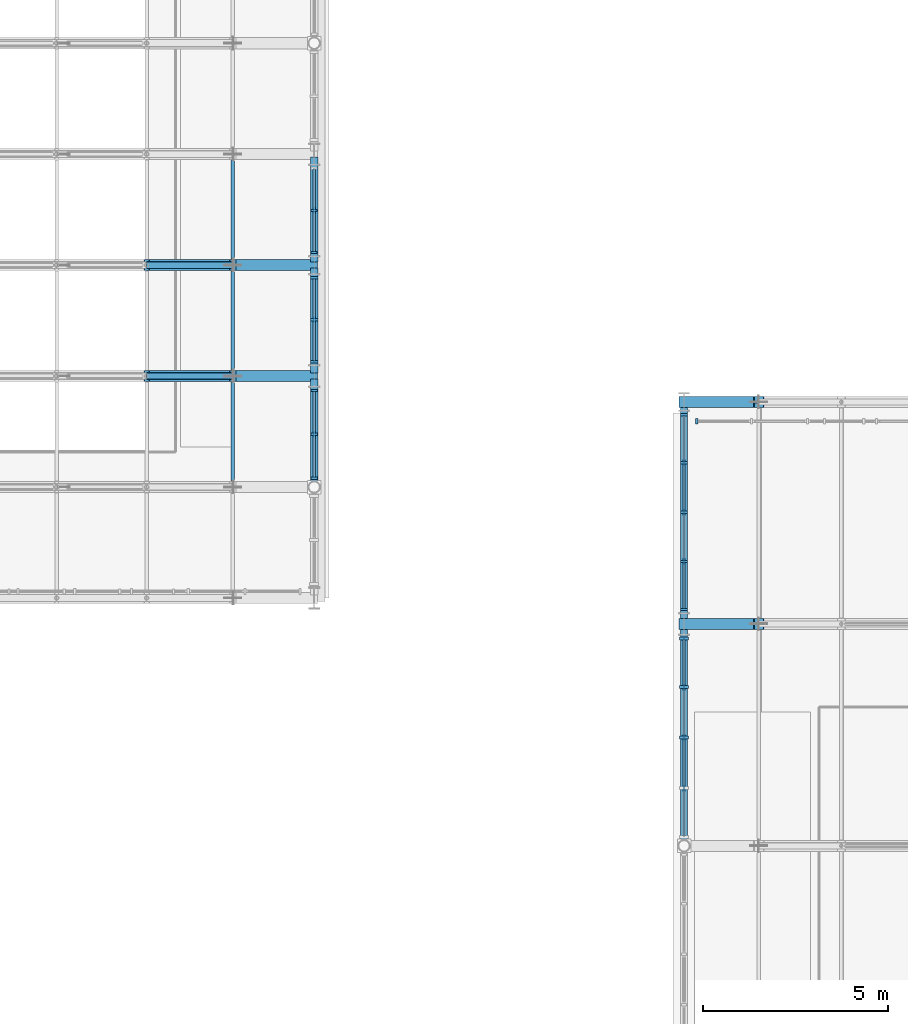
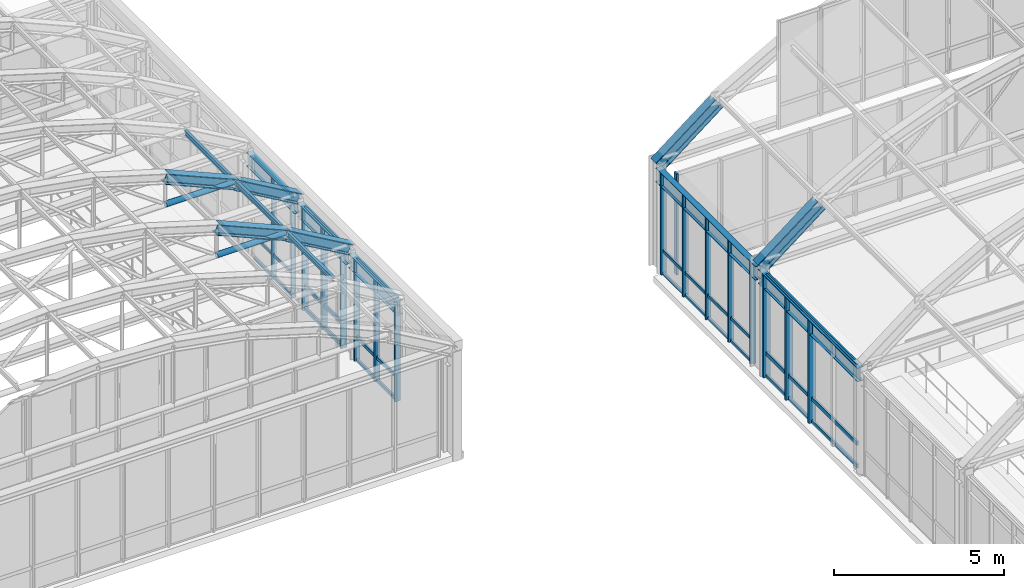
# One storey, part 63 of 148: 34 members, 14 beams, 6 elements without a shape of their own.
"""IFC4 building model written with IfcOpenShell, lengths in metres."""

from ifc_helpers import new_model, si_unit, direction, frame, origin, origin_2d, place, context, subcontext, project, spatial, rectangle, hollow_circle, i_section, extrude, material, layer, layer_set, material_profile, profile_set, type_object, element, aggregate, save


model = new_model("IFC4")

# Units and contexts
model_context = context("Model", 3, precision=1e-05, world=origin(), true_north=direction((0.0, 1.0)))
body_context = subcontext(model_context, "Body", "Model", "MODEL_VIEW")
ifc_project = project(units=[si_unit("LENGTHUNIT", "METRE"), si_unit("AREAUNIT", "SQUARE_METRE"), si_unit("VOLUMEUNIT", "CUBIC_METRE"), si_unit("PLANEANGLEUNIT", "RADIAN"), si_unit("MASSUNIT", "GRAM", prefix="KILO"), si_unit("THERMODYNAMICTEMPERATUREUNIT", "KELVIN"), si_unit("POWERUNIT", "WATT")], contexts=[model_context])

# Site, building, storey
site_placement = place(None, origin())
site = spatial("IfcSite", under=ifc_project, at=site_placement, CompositionType="ELEMENT")
building_placement = place(site_placement, origin())
building = spatial("IfcBuilding", under=site, at=building_placement, Name="Solvatero Civic Police Headquarters", CompositionType="ELEMENT")
storey_placement = place(building_placement, frame((0.0, 0.0, 5.10009765625)))
storey = spatial("IfcBuildingStorey", under=building, at=storey_placement, Name="L01", CompositionType="ELEMENT", Elevation=5.10009765625)

# Beams
ifc_material_1 = material(Name="Steel S355", Category="steel")
ifc_material_profile_1 = material_profile(ifc_material_1, i_section(OverallWidth=0.300048828125, OverallDepth=0.360107421875, WebThickness=0.012451171875, FlangeThickness=0.0224609375, FilletRadius=0.027099609375, at=origin_2d()), Name="HEB 360")
ifc_profile_set_1 = profile_set([ifc_material_profile_1], Name="Steel S355")
beam_type_1 = type_object("IfcBeamType", Name="BM-ST-HEB360", PredefinedType="BEAM", material=ifc_profile_set_1)
beam_1_placement = place(storey_placement, frame((84.27001953125, 47.5, 6.109619140625), z_axis=(0.917917593787, 0.0, -0.396771081377), x_axis=(0.0, 1.0, 0.0)))
element("IfcBeam", 1, at=beam_1_placement, inside=storey, type_object=beam_type_1, Name="VLT2 Tied-Arch Vault Top Chord F3.9", PredefinedType="BEAM", context=body_context, shape_type="SweptSolid", body=[
    extrude(i_section(OverallWidth=0.300048828125, OverallDepth=0.360107421875, WebThickness=0.012451171875, FlangeThickness=0.0224609375, FilletRadius=0.027099609375, at=origin_2d()), origin(), (0.0, 0.0, 1.0), 2.5400390625),
])
beam_2_placement = place(storey_placement, frame((86.6015625, 47.5, 5.079345703125), z_axis=(0.865485501766, 0.0, -0.500933973926), x_axis=(0.0, 1.0, 0.0)))
element("IfcBeam", 2, at=beam_2_placement, inside=storey, type_object=beam_type_1, Name="VLT2 Tied-Arch Vault Top Chord F3.10", PredefinedType="BEAM", context=body_context, shape_type="SweptSolid", body=[
    extrude(i_section(OverallWidth=0.300048828125, OverallDepth=0.360107421875, WebThickness=0.012451171875, FlangeThickness=0.0224609375, FilletRadius=0.027099609375, at=origin_2d()), origin(), (0.0, 0.0, 1.0), 2.540283203125),
])
beam_3_placement = place(storey_placement, frame((84.27001953125, 50.5, 6.109619140625), z_axis=(0.917917593787, 0.0, -0.396771081377), x_axis=(0.0, 1.0, 0.0)))
element("IfcBeam", 3, at=beam_3_placement, inside=storey, type_object=beam_type_1, Name="VLT2 Tied-Arch Vault Top Chord F4.9", PredefinedType="BEAM", context=body_context, shape_type="SweptSolid", body=[
    extrude(i_section(OverallWidth=0.300048828125, OverallDepth=0.360107421875, WebThickness=0.012451171875, FlangeThickness=0.0224609375, FilletRadius=0.027099609375, at=origin_2d()), origin(), (0.0, 0.0, 1.0), 2.5400390625),
])
beam_4_placement = place(storey_placement, frame((86.6015625, 50.5, 5.079345703125), z_axis=(0.865485501766, 0.0, -0.500933973926), x_axis=(0.0, 1.0, 0.0)))
element("IfcBeam", 4, at=beam_4_placement, inside=storey, type_object=beam_type_1, Name="VLT2 Tied-Arch Vault Top Chord F4.10", PredefinedType="BEAM", context=body_context, shape_type="SweptSolid", body=[
    extrude(i_section(OverallWidth=0.300048828125, OverallDepth=0.360107421875, WebThickness=0.012451171875, FlangeThickness=0.0224609375, FilletRadius=0.027099609375, at=origin_2d()), origin(), (0.0, 0.0, 1.0), 2.540283203125),
])
ifc_material_profile_2 = material_profile(ifc_material_1, i_section(OverallWidth=0.300048828125, OverallDepth=0.449951171875, WebThickness=0.013916015625, FlangeThickness=0.02587890625, FilletRadius=0.027099609375, at=origin_2d()), Name="HEB 450")
ifc_profile_set_2 = profile_set([ifc_material_profile_2], Name="Steel S355")
beam_type_2 = type_object("IfcBeamType", Name="BM-ST-HEB450", PredefinedType="BEAM", material=ifc_profile_set_2)
for number, where, z_axis, x_axis, name in (
    (5, (98.800048828125, 40.800048828125, 3.712158203125), (0.789403525995, 0.0, 0.613874639602), (0.0, 1.0, 0.0), "VLT1 Tied-Arch Vault Top Chord F7.1"),
    (6, (98.800048828125, 46.800048828125, 3.712158203125), (0.789403525995, 0.0, 0.613874639602), (0.0, 1.0, 0.0), "VLT1 Tied-Arch Vault Top Chord F8.1"),
):
    element("IfcBeam", number, at=place(storey_placement, frame(where, z_axis=z_axis, x_axis=x_axis)), inside=storey, type_object=beam_type_2, Name=name, PredefinedType="BEAM", context=body_context, shape_type="SweptSolid", body=[
        extrude(i_section(OverallWidth=0.300048828125, OverallDepth=0.449951171875, WebThickness=0.013916015625, FlangeThickness=0.02587890625, FilletRadius=0.027099609375, at=origin_2d()), origin(), (0.0, 0.0, 1.0), 2.56201171875),
    ])
ifc_material_profile_3 = material_profile(ifc_material_1, i_section(OverallWidth=0.091064453125, OverallDepth=0.179931640625, WebThickness=0.00537109375, FlangeThickness=0.008056640625, FilletRadius=0.009033203125, at=origin_2d()), Name="IPE 180")
ifc_profile_set_3 = profile_set([ifc_material_profile_3], Name="Steel S355")
beam_type_3 = type_object("IfcBeamType", Name="BM-ST-IPE180", PredefinedType="JOIST", material=ifc_profile_set_3)
for number, where, z_axis, x_axis, name in (
    (7, (86.6015625, 44.657958984375, 5.172119140625), (0.0, 1.0, 0.0), (-1.0, 0.0, 0.0), "VLT2 Vault Roof Purlin B2.9"),
    (8, (86.6015625, 47.657958984375, 5.172119140625), (0.0, 1.0, 0.0), (-1.0, 0.0, 0.0), "VLT2 Vault Roof Purlin B3.9"),
    (9, (86.6015625, 50.657958984375, 5.172119140625), (0.0, 1.0, 0.0), (-1.0, 0.0, 0.0), "VLT2 Vault Roof Purlin B4.9"),
):
    element("IfcBeam", number, at=place(storey_placement, frame(where, z_axis=z_axis, x_axis=x_axis)), inside=storey, type_object=beam_type_3, Name=name, PredefinedType="JOIST", context=body_context, shape_type="SweptSolid", body=[
        extrude(i_section(OverallWidth=0.091064453125, OverallDepth=0.179931640625, WebThickness=0.00537109375, FlangeThickness=0.008056640625, FilletRadius=0.009033203125, at=origin_2d()), origin(), (0.0, 0.0, 1.0), 2.68408203125),
    ])
ifc_material_profile_4 = material_profile(ifc_material_1, i_section(OverallWidth=0.199951171875, OverallDepth=0.5, WebThickness=0.01025390625, FlangeThickness=0.01611328125, FilletRadius=0.02099609375, at=origin_2d()), Name="IPE 500")
ifc_profile_set_4 = profile_set([ifc_material_profile_4], Name="Steel S355")
beam_type_4 = type_object("IfcBeamType", Name="BM-ST-IPE500", PredefinedType="BEAM", material=ifc_profile_set_4)
for number, where, z_axis, x_axis, name in (
    (10, (98.800048828125, 34.8798828125, 3.429931640625), (0.0, 1.0, 0.0), (-1.0, 0.0, 0.0), "Primary girder BM-R2-VLT1-SPR-W-B6"),
    (11, (98.800048828125, 40.8798828125, 3.429931640625), (0.0, 1.0, 0.0), (-1.0, 0.0, 0.0), "Primary girder BM-R2-VLT1-SPR-W-B7"),
):
    element("IfcBeam", number, at=place(storey_placement, frame(where, z_axis=z_axis, x_axis=x_axis)), inside=storey, type_object=beam_type_4, Name=name, PredefinedType="BEAM", context=body_context, shape_type="SweptSolid", body=[
        extrude(i_section(OverallWidth=0.199951171875, OverallDepth=0.5, WebThickness=0.01025390625, FlangeThickness=0.01611328125, FilletRadius=0.02099609375, at=origin_2d()), origin(), (0.0, 0.0, 1.0), 5.840087890625),
    ])
for number, where, z_axis, x_axis, name in (
    (12, (88.800048828125, 44.580078125, 3.429931640625), (0.0, 1.0, 0.0), (-1.0, 0.0, 0.0), "Primary girder BM-R2-VLT2-SPR-E-B2"),
    (13, (88.800048828125, 47.580078125, 3.429931640625), (0.0, 1.0, 0.0), (-1.0, 0.0, 0.0), "Primary girder BM-R2-VLT2-SPR-E-B3"),
    (14, (88.800048828125, 50.580078125, 3.429931640625), (0.0, 1.0, 0.0), (-1.0, 0.0, 0.0), "Primary girder BM-R2-VLT2-SPR-E-B4"),
):
    element("IfcBeam", number, at=place(storey_placement, frame(where, z_axis=z_axis, x_axis=x_axis)), inside=storey, type_object=beam_type_4, Name=name, PredefinedType="BEAM", context=body_context, shape_type="SweptSolid", body=[
        extrude(i_section(OverallWidth=0.199951171875, OverallDepth=0.5, WebThickness=0.01025390625, FlangeThickness=0.01611328125, FilletRadius=0.02099609375, at=origin_2d()), origin(), (0.0, 0.0, 1.0), 2.83984375),
    ])

# Curtain wall, members
ifc_material_2 = material(Name="Anodized Bronze Aluminium", Category="aluminium")
ifc_layer = layer(ifc_material_2, 0.179931640625)
ifc_layer_set = layer_set([ifc_layer], Name="Anodized Bronze Aluminium")
curtain_wall_type = type_object("IfcCurtainWallType", Name="CW-HAL-GLZ", PredefinedType="USERDEFINED", material=ifc_layer_set)
curtain_wall_1_placement = place(storey_placement, origin())
curtain_wall_1 = element("IfcCurtainWall", 15, at=curtain_wall_1_placement, inside=storey, type_object=curtain_wall_type, Name="Curtain Wall CW-R2-L01-V1-W-B6", ObjectType="UNITISED", PredefinedType="USERDEFINED")
ifc_material_profile_5 = material_profile(ifc_material_2, rectangle(XDim=0.080078125, YDim=0.239990234375, at=origin_2d()), Name="ALU MULLION 80x240")
ifc_profile_set_5 = profile_set([ifc_material_profile_5], Name="Anodized Bronze Aluminium")
member_type_1 = type_object("IfcMemberType", Name="CWM-140x60", PredefinedType="MULLION", material=ifc_profile_set_5)
member_1_placement = place(storey_placement, frame((98.800048828125, 37.72607421875, 0.0), z_axis=(0.0, 0.0, 1.0), x_axis=(0.0, 1.0, 0.0)))
member_1 = element("IfcMember", 16, at=member_1_placement, type_object=member_type_1, Name="CW-R2-L01-V1-W-B6 Mullion 3", PredefinedType="MULLION", context=body_context, shape_type="SweptSolid", body=[
    extrude(rectangle(XDim=0.080078125, YDim=0.239990234375, at=origin_2d()), origin(), (0.0, 0.0, 1.0), 3.659912109375),
])
member_2_placement = place(storey_placement, frame((98.800048828125, 39.087890625, 0.0), z_axis=(0.0, 0.0, 1.0), x_axis=(0.0, 1.0, 0.0)))
member_2 = element("IfcMember", 17, at=member_2_placement, type_object=member_type_1, Name="CW-R2-L01-V1-W-B6 Mullion 4", PredefinedType="MULLION", context=body_context, shape_type="SweptSolid", body=[
    extrude(rectangle(XDim=0.080078125, YDim=0.239990234375, at=origin_2d()), origin(), (0.0, 0.0, 1.0), 3.659912109375),
])
member_3_placement = place(storey_placement, frame((98.800048828125, 40.409912109375, 0.0), z_axis=(0.0, 0.0, 1.0), x_axis=(0.0, 1.0, 0.0)))
member_3 = element("IfcMember", 18, at=member_3_placement, type_object=member_type_1, Name="CW-R2-L01-V1-W-B6 Mullion 5", PredefinedType="MULLION", context=body_context, shape_type="SweptSolid", body=[
    extrude(rectangle(XDim=0.080078125, YDim=0.239990234375, at=origin_2d()), origin(), (0.0, 0.0, 1.0), 3.659912109375),
])

curtain_wall_2_placement = place(storey_placement, origin())
curtain_wall_2 = element("IfcCurtainWall", 19, at=curtain_wall_2_placement, inside=storey, type_object=curtain_wall_type, Name="Curtain Wall CW-R2-L01-V2-E-B4", ObjectType="UNITISED", PredefinedType="USERDEFINED")
ifc_material_profile_6 = material_profile(ifc_material_2, rectangle(XDim=0.06005859375, YDim=0.159912109375, at=origin_2d()), Name="ALU MULLION 60x160")
ifc_profile_set_6 = profile_set([ifc_material_profile_6], Name="Anodized Bronze Aluminium")
member_type_2 = type_object("IfcMemberType", Name="CWM-180x70", PredefinedType="MULLION", material=ifc_profile_set_6)
member_4_placement = place(storey_placement, frame((88.800048828125, 50.842041015625, 0.0), z_axis=(0.0, 0.0, 1.0), x_axis=(0.0, 1.0, 0.0)))
member_4 = element("IfcMember", 20, at=member_4_placement, type_object=member_type_2, Name="CW-R2-L01-V2-E-B4 Mullion 1", PredefinedType="MULLION", context=body_context, shape_type="SweptSolid", body=[
    extrude(rectangle(XDim=0.06005859375, YDim=0.159912109375, at=origin_2d()), origin(), (0.0, 0.0, 1.0), 3.659912109375),
])
member_5_placement = place(storey_placement, frame((88.800048828125, 51.98095703125, 0.0), z_axis=(0.0, 0.0, 1.0), x_axis=(0.0, 1.0, 0.0)))
member_5 = element("IfcMember", 21, at=member_5_placement, type_object=member_type_2, Name="CW-R2-L01-V2-E-B4 Mullion 2", PredefinedType="MULLION", context=body_context, shape_type="SweptSolid", body=[
    extrude(rectangle(XDim=0.06005859375, YDim=0.159912109375, at=origin_2d()), origin(), (0.0, 0.0, 1.0), 3.659912109375),
])

# Curtain wall, member
curtain_wall_3_placement = place(storey_placement, origin())
curtain_wall_3 = element("IfcCurtainWall", 22, at=curtain_wall_3_placement, inside=storey, type_object=curtain_wall_type, Name="Curtain Wall CW-R2-L01-V1-N", ObjectType="UNITISED", PredefinedType="USERDEFINED")
member_6_placement = place(storey_placement, frame((99.14208984375, 46.280029296875, 0.0), z_axis=(0.0, 0.0, 1.0), x_axis=(1.0, 0.0, 0.0)))
member_6 = element("IfcMember", 23, at=member_6_placement, type_object=member_type_2, Name="CW-R2-L01-V1-N Mullion 1", PredefinedType="MULLION", context=body_context, shape_type="SweptSolid", body=[
    extrude(rectangle(XDim=0.06005859375, YDim=0.159912109375, at=origin_2d()), origin(), (0.0, 0.0, 1.0), 3.619873046875),
])
aggregate(curtain_wall_3, [member_6])

# Curtain wall, members
curtain_wall_4_placement = place(storey_placement, origin())
curtain_wall_4 = element("IfcCurtainWall", 24, at=curtain_wall_4_placement, inside=storey, type_object=curtain_wall_type, Name="Curtain Wall CW-R2-L01-V2-E-B2", ObjectType="UNITISED", PredefinedType="USERDEFINED")
ifc_material_profile_7 = material_profile(ifc_material_2, rectangle(XDim=0.06494140625, YDim=0.179931640625, at=origin_2d()), Name="ALU MULLION 65x180")
ifc_profile_set_7 = profile_set([ifc_material_profile_7], Name="Anodized Bronze Aluminium")
member_type_3 = type_object("IfcMemberType", Name="CWM-200x75", PredefinedType="MULLION", material=ifc_profile_set_7)
member_7_placement = place(storey_placement, frame((88.800048828125, 44.741943359375, 0.0), z_axis=(0.0, 0.0, 1.0), x_axis=(0.0, 1.0, 0.0)))
member_7 = element("IfcMember", 25, at=member_7_placement, type_object=member_type_3, Name="CW-R2-L01-V2-E-B2 Mullion 1", PredefinedType="MULLION", context=body_context, shape_type="SweptSolid", body=[
    extrude(rectangle(XDim=0.06494140625, YDim=0.179931640625, at=origin_2d()), origin(), (0.0, 0.0, 1.0), 3.659912109375),
])
member_8_placement = place(storey_placement, frame((88.800048828125, 45.926025390625, 0.0), z_axis=(0.0, 0.0, 1.0), x_axis=(0.0, 1.0, 0.0)))
member_8 = element("IfcMember", 26, at=member_8_placement, type_object=member_type_3, Name="CW-R2-L01-V2-E-B2 Mullion 2", PredefinedType="MULLION", context=body_context, shape_type="SweptSolid", body=[
    extrude(rectangle(XDim=0.06494140625, YDim=0.179931640625, at=origin_2d()), origin(), (0.0, 0.0, 1.0), 3.659912109375),
])
member_9_placement = place(storey_placement, frame((88.800048828125, 47.110107421875, 0.0), z_axis=(0.0, 0.0, 1.0), x_axis=(0.0, 1.0, 0.0)))
member_9 = element("IfcMember", 27, at=member_9_placement, type_object=member_type_3, Name="CW-R2-L01-V2-E-B2 Mullion 3", PredefinedType="MULLION", context=body_context, shape_type="SweptSolid", body=[
    extrude(rectangle(XDim=0.06494140625, YDim=0.179931640625, at=origin_2d()), origin(), (0.0, 0.0, 1.0), 3.659912109375),
])

curtain_wall_5_placement = place(storey_placement, origin())
curtain_wall_5 = element("IfcCurtainWall", 28, at=curtain_wall_5_placement, inside=storey, type_object=curtain_wall_type, Name="Curtain Wall CW-R2-L01-V1-W-B7", ObjectType="UNITISED", PredefinedType="USERDEFINED")
member_10_placement = place(storey_placement, frame((98.800048828125, 41.18994140625, 0.0), z_axis=(0.0, 0.0, 1.0), x_axis=(0.0, 1.0, 0.0)))
member_10 = element("IfcMember", 29, at=member_10_placement, type_object=member_type_3, Name="CW-R2-L01-V1-W-B7 Mullion 1", PredefinedType="MULLION", context=body_context, shape_type="SweptSolid", body=[
    extrude(rectangle(XDim=0.06494140625, YDim=0.179931640625, at=origin_2d()), origin(), (0.0, 0.0, 1.0), 3.659912109375),
])
member_11_placement = place(storey_placement, frame((98.800048828125, 42.487060546875, 0.0), z_axis=(0.0, 0.0, 1.0), x_axis=(0.0, 1.0, 0.0)))
member_11 = element("IfcMember", 30, at=member_11_placement, type_object=member_type_3, Name="CW-R2-L01-V1-W-B7 Mullion 2", PredefinedType="MULLION", context=body_context, shape_type="SweptSolid", body=[
    extrude(rectangle(XDim=0.06494140625, YDim=0.179931640625, at=origin_2d()), origin(), (0.0, 0.0, 1.0), 3.659912109375),
])
member_12_placement = place(storey_placement, frame((98.800048828125, 43.823974609375, 0.0), z_axis=(0.0, 0.0, 1.0), x_axis=(0.0, 1.0, 0.0)))
member_12 = element("IfcMember", 31, at=member_12_placement, type_object=member_type_3, Name="CW-R2-L01-V1-W-B7 Mullion 3", PredefinedType="MULLION", context=body_context, shape_type="SweptSolid", body=[
    extrude(rectangle(XDim=0.06494140625, YDim=0.179931640625, at=origin_2d()), origin(), (0.0, 0.0, 1.0), 3.659912109375),
])
member_13_placement = place(storey_placement, frame((98.800048828125, 45.160888671875, 0.0), z_axis=(0.0, 0.0, 1.0), x_axis=(0.0, 1.0, 0.0)))
member_13 = element("IfcMember", 32, at=member_13_placement, type_object=member_type_3, Name="CW-R2-L01-V1-W-B7 Mullion 4", PredefinedType="MULLION", context=body_context, shape_type="SweptSolid", body=[
    extrude(rectangle(XDim=0.06494140625, YDim=0.179931640625, at=origin_2d()), origin(), (0.0, 0.0, 1.0), 3.659912109375),
])
member_14_placement = place(storey_placement, frame((98.800048828125, 46.4580078125, 0.0), z_axis=(0.0, 0.0, 1.0), x_axis=(0.0, 1.0, 0.0)))
member_14 = element("IfcMember", 33, at=member_14_placement, type_object=member_type_3, Name="CW-R2-L01-V1-W-B7 Mullion 5", PredefinedType="MULLION", context=body_context, shape_type="SweptSolid", body=[
    extrude(rectangle(XDim=0.06494140625, YDim=0.179931640625, at=origin_2d()), origin(), (0.0, 0.0, 1.0), 3.659912109375),
])

curtain_wall_6_placement = place(storey_placement, origin())
curtain_wall_6 = element("IfcCurtainWall", 34, at=curtain_wall_6_placement, inside=storey, type_object=curtain_wall_type, Name="Curtain Wall CW-R2-L01-V2-E-B3", ObjectType="UNITISED", PredefinedType="USERDEFINED")
ifc_material_profile_8 = material_profile(ifc_material_2, rectangle(XDim=0.070068359375, YDim=0.199951171875, at=origin_2d()), Name="ALU MULLION 70x200")
ifc_profile_set_8 = profile_set([ifc_material_profile_8], Name="Anodized Bronze Aluminium")
member_type_4 = type_object("IfcMemberType", Name="CWM-220x80", PredefinedType="MULLION", material=ifc_profile_set_8)
member_15_placement = place(storey_placement, frame((88.800048828125, 47.889892578125, 0.0), z_axis=(0.0, 0.0, 1.0), x_axis=(0.0, 1.0, 0.0)))
member_15 = element("IfcMember", 35, at=member_15_placement, type_object=member_type_4, Name="CW-R2-L01-V2-E-B3 Mullion 1", PredefinedType="MULLION", context=body_context, shape_type="SweptSolid", body=[
    extrude(rectangle(XDim=0.070068359375, YDim=0.199951171875, at=origin_2d()), origin(), (0.0, 0.0, 1.0), 3.659912109375),
])
member_16_placement = place(storey_placement, frame((88.800048828125, 49.02392578125, 0.0), z_axis=(0.0, 0.0, 1.0), x_axis=(0.0, 1.0, 0.0)))
member_16 = element("IfcMember", 36, at=member_16_placement, type_object=member_type_4, Name="CW-R2-L01-V2-E-B3 Mullion 2", PredefinedType="MULLION", context=body_context, shape_type="SweptSolid", body=[
    extrude(rectangle(XDim=0.070068359375, YDim=0.199951171875, at=origin_2d()), origin(), (0.0, 0.0, 1.0), 3.659912109375),
])
member_17_placement = place(storey_placement, frame((88.800048828125, 50.157958984375, 0.0), z_axis=(0.0, 0.0, 1.0), x_axis=(0.0, 1.0, 0.0)))
member_17 = element("IfcMember", 37, at=member_17_placement, type_object=member_type_4, Name="CW-R2-L01-V2-E-B3 Mullion 3", PredefinedType="MULLION", context=body_context, shape_type="SweptSolid", body=[
    extrude(rectangle(XDim=0.070068359375, YDim=0.199951171875, at=origin_2d()), origin(), (0.0, 0.0, 1.0), 3.659912109375),
])

# Member
ifc_material_profile_9 = material_profile(ifc_material_2, rectangle(XDim=0.06005859375, YDim=0.110107421875, at=origin_2d()), Name="ALU TRANSOM 60x110")
ifc_profile_set_9 = profile_set([ifc_material_profile_9], Name="Anodized Bronze Aluminium")
member_type_5 = type_object("IfcMemberType", Name="CWT-140x60", PredefinedType="USERDEFINED", material=ifc_profile_set_9)
member_18_placement = place(storey_placement, frame((88.800048828125, 50.85205078125, 0.039794921875), z_axis=(0.0, 1.0, 0.0), x_axis=(-1.0, 0.0, 0.0)))
member_18 = element("IfcMember", 38, at=member_18_placement, type_object=member_type_5, Name="CW-R2-L01-V2-E-B4 Transom 1", ObjectType="TRANSOM", PredefinedType="USERDEFINED", context=body_context, shape_type="SweptSolid", body=[
    extrude(rectangle(XDim=0.06005859375, YDim=0.110107421875, at=origin_2d()), origin(), (0.0, 0.0, 1.0), 2.258056640625),
])

member_19_placement = place(storey_placement, frame((88.800048828125, 50.85205078125, 0.849853515625), z_axis=(0.0, 1.0, 0.0), x_axis=(-1.0, 0.0, 0.0)))
member_19 = element("IfcMember", 39, at=member_19_placement, type_object=member_type_5, Name="CW-R2-L01-V2-E-B4 Transom 2", ObjectType="TRANSOM", PredefinedType="USERDEFINED", context=body_context, shape_type="SweptSolid", body=[
    extrude(rectangle(XDim=0.06005859375, YDim=0.110107421875, at=origin_2d()), origin(), (0.0, 0.0, 1.0), 2.258056640625),
])

member_20_placement = place(storey_placement, frame((88.800048828125, 50.85205078125, 3.619873046875), z_axis=(0.0, 1.0, 0.0), x_axis=(-1.0, 0.0, 0.0)))
member_20 = element("IfcMember", 40, at=member_20_placement, type_object=member_type_5, Name="CW-R2-L01-V2-E-B4 Transom 3", ObjectType="TRANSOM", PredefinedType="USERDEFINED", context=body_context, shape_type="SweptSolid", body=[
    extrude(rectangle(XDim=0.06005859375, YDim=0.110107421875, at=origin_2d()), origin(), (0.0, 0.0, 1.0), 2.258056640625),
])

aggregate(curtain_wall_2, [member_4, member_5, member_18, member_19, member_20])

member_21_placement = place(storey_placement, frame((98.800048828125, 41.199951171875, 0.039794921875), z_axis=(0.0, 1.0, 0.0), x_axis=(-1.0, 0.0, 0.0)))
member_21 = element("IfcMember", 41, at=member_21_placement, type_object=member_type_5, Name="CW-R2-L01-V1-W-B7 Transom 1", ObjectType="TRANSOM", PredefinedType="USERDEFINED", context=body_context, shape_type="SweptSolid", body=[
    extrude(rectangle(XDim=0.06005859375, YDim=0.110107421875, at=origin_2d()), origin(), (0.0, 0.0, 1.0), 5.248046875),
])

member_22_placement = place(storey_placement, frame((98.800048828125, 41.199951171875, 0.849853515625), z_axis=(0.0, 1.0, 0.0), x_axis=(-1.0, 0.0, 0.0)))
member_22 = element("IfcMember", 42, at=member_22_placement, type_object=member_type_5, Name="CW-R2-L01-V1-W-B7 Transom 2", ObjectType="TRANSOM", PredefinedType="USERDEFINED", context=body_context, shape_type="SweptSolid", body=[
    extrude(rectangle(XDim=0.06005859375, YDim=0.110107421875, at=origin_2d()), origin(), (0.0, 0.0, 1.0), 5.248046875),
])

member_23_placement = place(storey_placement, frame((98.800048828125, 41.199951171875, 3.619873046875), z_axis=(0.0, 1.0, 0.0), x_axis=(-1.0, 0.0, 0.0)))
member_23 = element("IfcMember", 43, at=member_23_placement, type_object=member_type_5, Name="CW-R2-L01-V1-W-B7 Transom 3", ObjectType="TRANSOM", PredefinedType="USERDEFINED", context=body_context, shape_type="SweptSolid", body=[
    extrude(rectangle(XDim=0.06005859375, YDim=0.110107421875, at=origin_2d()), origin(), (0.0, 0.0, 1.0), 5.248046875),
])

aggregate(curtain_wall_5, [member_10, member_11, member_12, member_13, member_14, member_21, member_22, member_23])

ifc_material_profile_10 = material_profile(ifc_material_2, rectangle(XDim=0.06005859375, YDim=0.125, at=origin_2d()), Name="ALU TRANSOM 60x125")
ifc_profile_set_10 = profile_set([ifc_material_profile_10], Name="Anodized Bronze Aluminium")
member_type_6 = type_object("IfcMemberType", Name="CWT-160x65", PredefinedType="USERDEFINED", material=ifc_profile_set_10)
member_24_placement = place(storey_placement, frame((88.800048828125, 44.751953125, 0.039794921875), z_axis=(0.0, 1.0, 0.0), x_axis=(-1.0, 0.0, 0.0)))
member_24 = element("IfcMember", 44, at=member_24_placement, type_object=member_type_6, Name="CW-R2-L01-V2-E-B2 Transom 1", ObjectType="TRANSOM", PredefinedType="USERDEFINED", context=body_context, shape_type="SweptSolid", body=[
    extrude(rectangle(XDim=0.06005859375, YDim=0.125, at=origin_2d()), origin(), (0.0, 0.0, 1.0), 2.34814453125),
])

member_25_placement = place(storey_placement, frame((88.800048828125, 44.751953125, 0.849853515625), z_axis=(0.0, 1.0, 0.0), x_axis=(-1.0, 0.0, 0.0)))
member_25 = element("IfcMember", 45, at=member_25_placement, type_object=member_type_6, Name="CW-R2-L01-V2-E-B2 Transom 2", ObjectType="TRANSOM", PredefinedType="USERDEFINED", context=body_context, shape_type="SweptSolid", body=[
    extrude(rectangle(XDim=0.06005859375, YDim=0.125, at=origin_2d()), origin(), (0.0, 0.0, 1.0), 2.34814453125),
])

member_26_placement = place(storey_placement, frame((88.800048828125, 44.751953125, 3.619873046875), z_axis=(0.0, 1.0, 0.0), x_axis=(-1.0, 0.0, 0.0)))
member_26 = element("IfcMember", 46, at=member_26_placement, type_object=member_type_6, Name="CW-R2-L01-V2-E-B2 Transom 3", ObjectType="TRANSOM", PredefinedType="USERDEFINED", context=body_context, shape_type="SweptSolid", body=[
    extrude(rectangle(XDim=0.06005859375, YDim=0.125, at=origin_2d()), origin(), (0.0, 0.0, 1.0), 2.34814453125),
])

aggregate(curtain_wall_4, [member_7, member_8, member_9, member_24, member_25, member_26])

ifc_material_profile_11 = material_profile(ifc_material_2, rectangle(XDim=0.06494140625, YDim=0.139892578125, at=origin_2d()), Name="ALU TRANSOM 65x140")
ifc_profile_set_11 = profile_set([ifc_material_profile_11], Name="Anodized Bronze Aluminium")
member_type_7 = type_object("IfcMemberType", Name="CWT-180x70", PredefinedType="USERDEFINED", material=ifc_profile_set_11)
member_27_placement = place(storey_placement, frame((88.800048828125, 47.89990234375, 0.039794921875), z_axis=(0.0, 1.0, 0.0), x_axis=(-1.0, 0.0, 0.0)))
member_27 = element("IfcMember", 47, at=member_27_placement, type_object=member_type_7, Name="CW-R2-L01-V2-E-B3 Transom 1", ObjectType="TRANSOM", PredefinedType="USERDEFINED", context=body_context, shape_type="SweptSolid", body=[
    extrude(rectangle(XDim=0.06494140625, YDim=0.139892578125, at=origin_2d()), origin(), (0.0, 0.0, 1.0), 2.248046875),
])

member_28_placement = place(storey_placement, frame((88.800048828125, 47.89990234375, 0.849853515625), z_axis=(0.0, 1.0, 0.0), x_axis=(-1.0, 0.0, 0.0)))
member_28 = element("IfcMember", 48, at=member_28_placement, type_object=member_type_7, Name="CW-R2-L01-V2-E-B3 Transom 2", ObjectType="TRANSOM", PredefinedType="USERDEFINED", context=body_context, shape_type="SweptSolid", body=[
    extrude(rectangle(XDim=0.06494140625, YDim=0.139892578125, at=origin_2d()), origin(), (0.0, 0.0, 1.0), 2.248046875),
])

member_29_placement = place(storey_placement, frame((88.800048828125, 47.89990234375, 3.619873046875), z_axis=(0.0, 1.0, 0.0), x_axis=(-1.0, 0.0, 0.0)))
member_29 = element("IfcMember", 49, at=member_29_placement, type_object=member_type_7, Name="CW-R2-L01-V2-E-B3 Transom 3", ObjectType="TRANSOM", PredefinedType="USERDEFINED", context=body_context, shape_type="SweptSolid", body=[
    extrude(rectangle(XDim=0.06494140625, YDim=0.139892578125, at=origin_2d()), origin(), (0.0, 0.0, 1.0), 2.248046875),
])

aggregate(curtain_wall_6, [member_15, member_16, member_17, member_27, member_28, member_29])

member_30_placement = place(storey_placement, frame((98.800048828125, 35.052001953125, 0.039794921875), z_axis=(0.0, 1.0, 0.0), x_axis=(-1.0, 0.0, 0.0)))
member_30 = element("IfcMember", 50, at=member_30_placement, type_object=member_type_7, Name="CW-R2-L01-V1-W-B6 Transom 1", ObjectType="TRANSOM", PredefinedType="USERDEFINED", context=body_context, shape_type="SweptSolid", body=[
    extrude(rectangle(XDim=0.06494140625, YDim=0.139892578125, at=origin_2d()), origin(), (0.0, 0.0, 1.0), 5.347900390625),
])

member_31_placement = place(storey_placement, frame((98.800048828125, 35.052001953125, 0.849853515625), z_axis=(0.0, 1.0, 0.0), x_axis=(-1.0, 0.0, 0.0)))
member_31 = element("IfcMember", 51, at=member_31_placement, type_object=member_type_7, Name="CW-R2-L01-V1-W-B6 Transom 2", ObjectType="TRANSOM", PredefinedType="USERDEFINED", context=body_context, shape_type="SweptSolid", body=[
    extrude(rectangle(XDim=0.06494140625, YDim=0.139892578125, at=origin_2d()), origin(), (0.0, 0.0, 1.0), 5.347900390625),
])

member_32_placement = place(storey_placement, frame((98.800048828125, 35.052001953125, 3.619873046875), z_axis=(0.0, 1.0, 0.0), x_axis=(-1.0, 0.0, 0.0)))
member_32 = element("IfcMember", 52, at=member_32_placement, type_object=member_type_7, Name="CW-R2-L01-V1-W-B6 Transom 3", ObjectType="TRANSOM", PredefinedType="USERDEFINED", context=body_context, shape_type="SweptSolid", body=[
    extrude(rectangle(XDim=0.06494140625, YDim=0.139892578125, at=origin_2d()), origin(), (0.0, 0.0, 1.0), 5.347900390625),
])

aggregate(curtain_wall_1, [member_1, member_2, member_3, member_30, member_31, member_32])

# Members
ifc_material_profile_12 = material_profile(ifc_material_1, hollow_circle(Radius=0.096923828125, WallThickness=0.010009765625, at=origin_2d()), Name="CHS 193.7x10.0")
ifc_profile_set_12 = profile_set([ifc_material_profile_12], Name="Steel S355")
member_type_8 = type_object("IfcMemberType", Name="MB-TIE-CHS194", PredefinedType="CHORD", material=ifc_profile_set_12)
for number, where, z_axis, x_axis, name in (
    (53, (84.27001953125, 47.5, 5.13623046875), (1.0, 0.0, 0.0), (0.0, 1.0, 0.0), "VLT2 Vault Horizontal Tie Chord F3.8"),
    (54, (84.27001953125, 50.5, 5.13623046875), (1.0, 0.0, 0.0), (0.0, 1.0, 0.0), "VLT2 Vault Horizontal Tie Chord F4.8"),
):
    element("IfcMember", number, at=place(storey_placement, frame(where, z_axis=z_axis, x_axis=x_axis)), inside=storey, type_object=member_type_8, Name=name, PredefinedType="CHORD", context=body_context, shape_type="SweptSolid", body=[
        extrude(hollow_circle(Radius=0.096923828125, WallThickness=0.010009765625, at=origin_2d()), origin(), (0.0, 0.0, 1.0), 2.33154296875),
    ])

save(model, "model.ifc")
